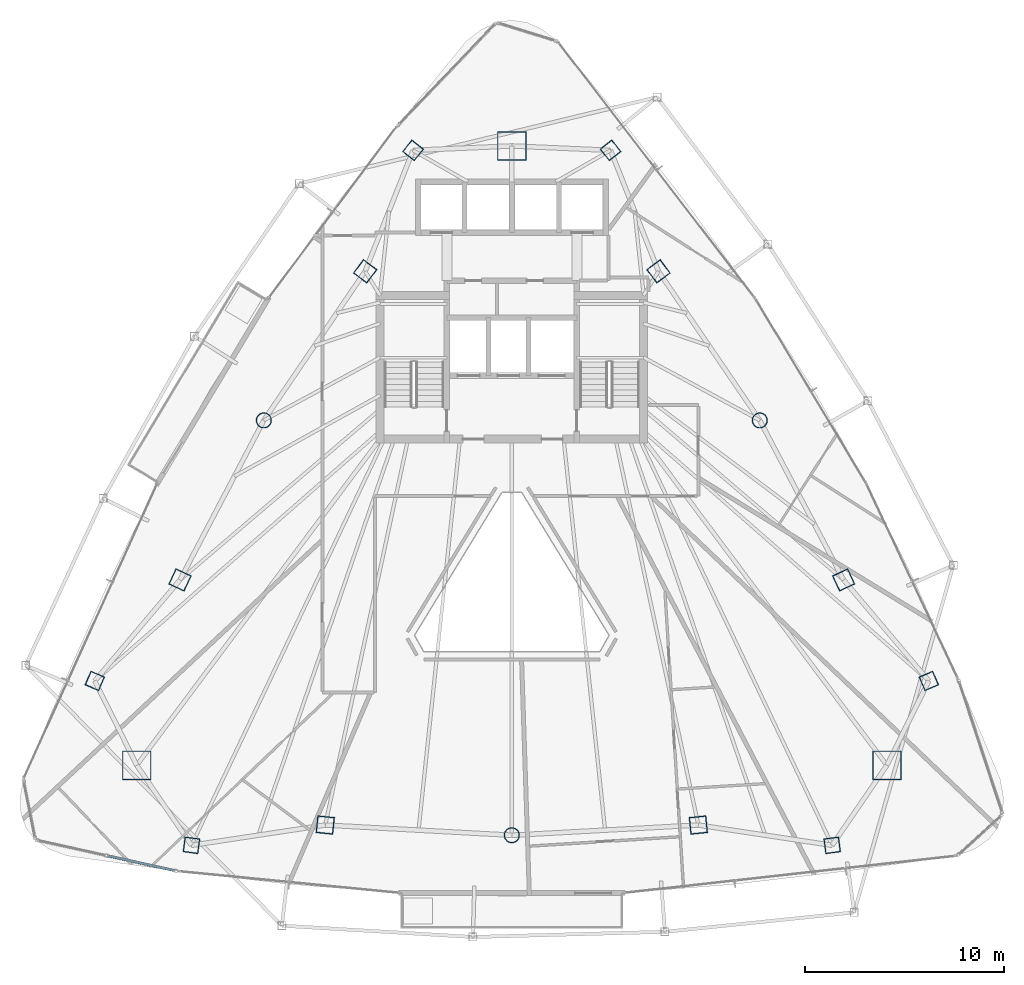
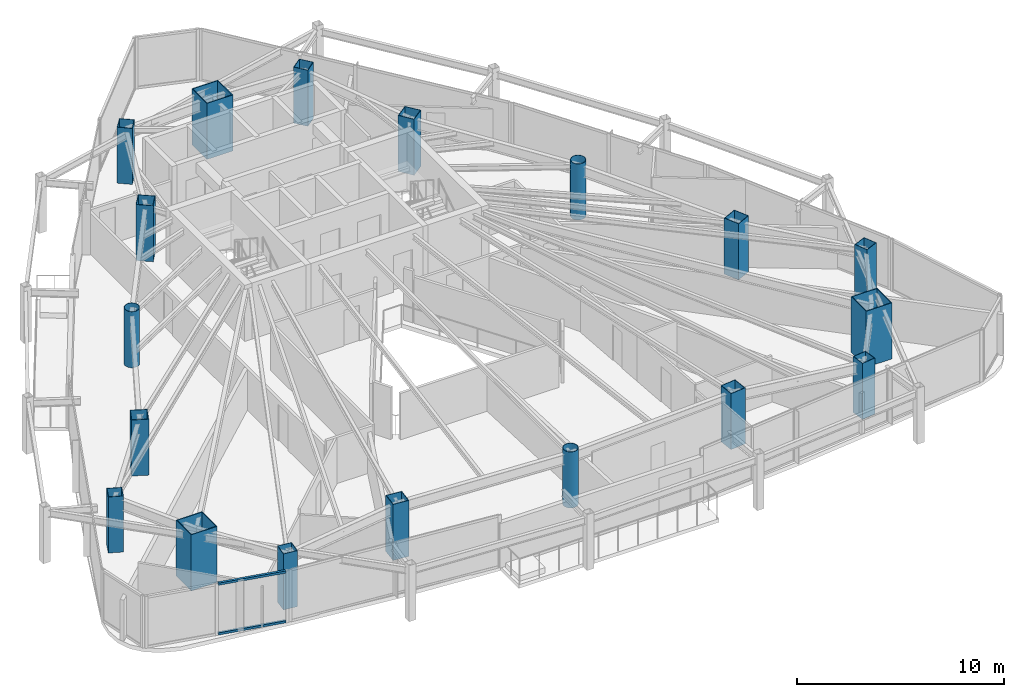
# One storey, part 1 of 29: 18 columns, 2 members, 1 element without a shape of its own.
"""IFC4 building model written with IfcOpenShell, lengths in metres."""

from ifc_helpers import new_model, si_unit, direction, frame, origin, origin_2d, place, context, subcontext, project, spatial, hollow_rectangle, hollow_circle, extrude, material, layer, layer_set, material_profile, profile_set, type_object, element, aggregate, save


model = new_model("IFC4")

# Units and contexts
model_context = context("Model", 3, precision=1e-05, world=origin(), true_north=direction((0.0, 1.0)))
body_context = subcontext(model_context, "Body", "Model", "MODEL_VIEW")
ifc_project = project(units=[si_unit("LENGTHUNIT", "METRE"), si_unit("AREAUNIT", "SQUARE_METRE"), si_unit("VOLUMEUNIT", "CUBIC_METRE"), si_unit("PLANEANGLEUNIT", "RADIAN"), si_unit("MASSUNIT", "GRAM", prefix="KILO")], contexts=[model_context])

# Site, building, storey
site_placement = place(None, origin())
site = spatial("IfcSite", under=ifc_project, at=site_placement, CompositionType="ELEMENT")
building_placement = place(site_placement, origin())
building = spatial("IfcBuilding", under=site, at=building_placement, Name="Orvanel Arch Residences", CompositionType="ELEMENT")
storey_placement = place(building_placement, frame((0.0, 0.0, 170.449951171875)))
storey = spatial("IfcBuildingStorey", under=building, at=storey_placement, Name="L48", CompositionType="ELEMENT", Elevation=170.449951171875)

# Columns
ifc_material_1 = material(Name="Structural steel AS/NZS 1163 C450L0 (Grade 450)", Category="steel")
ifc_material_profile_1 = material_profile(ifc_material_1, hollow_circle(Radius=0.381103515625, WallThickness=0.02197265625, at=origin_2d()), Name="CHS762x22")
ifc_profile_set_1 = profile_set([ifc_material_profile_1], Name="Structural steel AS/NZS 1163 C450L0 (Grade 450)")
column_type_1 = type_object("IfcColumnType", Name="CC-762", PredefinedType="COLUMN", material=ifc_profile_set_1)
for number, where, z_axis, x_axis, name in (
    (1, (20.569091796875, 27.64111328125, 0.0), (0.0, 0.0, 1.0), (1.0, 0.0, 0.0), "L48 High-Rise Tube Column 02"),
    (2, (33.0, 6.843994140625, 0.0), (0.0, 0.0, 1.0), (1.0, 0.0, 0.0), "L48 High-Rise Tube Column 05"),
    (3, (45.430908203125, 27.64111328125, 0.0), (0.0, 0.0, 1.0), (1.0, 0.0, 0.0), "L48 High-Rise Tube Column 08"),
):
    element("IfcColumn", number, at=place(storey_placement, frame(where, z_axis=z_axis, x_axis=x_axis)), inside=storey, type_object=column_type_1, Name=name, PredefinedType="COLUMN", context=body_context, shape_type="SweptSolid", body=[
        extrude(hollow_circle(Radius=0.381103515625, WallThickness=0.02197265625, at=origin_2d()), origin(), (0.0, 0.0, 1.0), 3.300048828125),
    ])
ifc_material_2 = material(Name="Structural steel AS/NZS 3678 Grade 450", Category="steel")
ifc_material_profile_2 = material_profile(ifc_material_2, hollow_rectangle(XDim=1.449951171875, YDim=1.449951171875, WallThickness=0.044921875, at=origin_2d()), Name="BOX1450x1450x45")
ifc_profile_set_2 = profile_set([ifc_material_profile_2], Name="Structural steel AS/NZS 3678 Grade 450")
column_type_2 = type_object("IfcColumnType", Name="MC-1450", PredefinedType="COLUMN", material=ifc_profile_set_2)
for number, where, z_axis, x_axis, name in (
    (4, (33.0, 41.39794921875, 0.0), (0.0, 0.0, 1.0), (1.0, 0.0, 0.0), "L48 Corner Mega-Column 1"),
    (5, (14.198974609375, 10.35107421875, 0.0), (0.0, 0.0, 1.0), (1.0, 0.0, 0.0), "L48 Corner Mega-Column 2"),
    (6, (51.801025390625, 10.35107421875, 0.0), (0.0, 0.0, 1.0), (1.0, 0.0, 0.0), "L48 Corner Mega-Column 3"),
):
    element("IfcColumn", number, at=place(storey_placement, frame(where, z_axis=z_axis, x_axis=x_axis)), inside=storey, type_object=column_type_2, Name=name, PredefinedType="COLUMN", context=body_context, shape_type="SweptSolid", body=[
        extrude(hollow_rectangle(XDim=1.449951171875, YDim=1.449951171875, WallThickness=0.044921875, at=origin_2d()), origin(), (0.0, 0.0, 1.0), 3.300048828125),
    ])
ifc_material_3 = material(Name="Structural steel AS/NZS 3678 Grade 350", Category="steel")
ifc_material_profile_3 = material_profile(ifc_material_3, hollow_rectangle(XDim=0.75, YDim=0.75, WallThickness=0.02490234375, at=origin_2d()), Name="BOX750x750x25")
ifc_profile_set_3 = profile_set([ifc_material_profile_3], Name="Structural steel AS/NZS 3678 Grade 350")
column_type_3 = type_object("IfcColumnType", Name="TC-750", PredefinedType="COLUMN", material=ifc_profile_set_3)
for number, where, z_axis, x_axis, name in (
    (7, (28.050048828125, 41.177978515625, 0.0), (0.0, 0.0, 1.0), (0.623879596709, 0.781520472419, 0.0), "L48 Mid-Rise Buttress Tube Column 01"),
    (8, (12.094970703125, 14.580078125, 0.0), (0.0, 0.0, 1.0), (0.397147890635, 0.917754625684, 0.0), "L48 Mid-Rise Buttress Tube Column 02"),
    (9, (16.94091796875, 6.339111328125, 0.0), (0.0, 0.0, 1.0), (-0.99189444259, 0.127064608601, 0.0), "L48 Mid-Rise Buttress Tube Column 03"),
    (10, (49.05908203125, 6.339111328125, 0.0), (0.0, 0.0, 1.0), (0.99189444259, 0.127064608601, 0.0), "L48 Mid-Rise Buttress Tube Column 04"),
    (11, (53.905029296875, 14.580078125, 0.0), (0.0, 0.0, 1.0), (-0.397147890635, 0.917754625684, 0.0), "L48 Mid-Rise Buttress Tube Column 05"),
    (12, (37.949951171875, 41.177978515625, 0.0), (0.0, 0.0, 1.0), (-0.623879596709, 0.781520472419, 0.0), "L48 Mid-Rise Buttress Tube Column 06"),
):
    element("IfcColumn", number, at=place(storey_placement, frame(where, z_axis=z_axis, x_axis=x_axis)), inside=storey, type_object=column_type_3, Name=name, PredefinedType="COLUMN", context=body_context, shape_type="SweptSolid", body=[
        extrude(hollow_rectangle(XDim=0.75, YDim=0.75, WallThickness=0.02490234375, at=origin_2d()), origin(), (0.0, 0.0, 1.0), 3.300048828125),
    ])
ifc_material_profile_4 = material_profile(ifc_material_3, hollow_rectangle(XDim=0.85009765625, YDim=0.85009765625, WallThickness=0.028076171875, at=origin_2d()), Name="BOX850x850x28")
ifc_profile_set_4 = profile_set([ifc_material_profile_4], Name="Structural steel AS/NZS 3678 Grade 350")
column_type_4 = type_object("IfcColumnType", Name="TC-850", PredefinedType="COLUMN", material=ifc_profile_set_4)
for number, where, z_axis, x_axis, name in (
    (13, (25.64794921875, 35.113037109375, 0.0), (0.0, 0.0, 1.0), (0.600420225326, 0.799684658487, 0.0), "L48 High-Rise Tube Column 01"),
    (14, (16.366943359375, 19.64208984375, 0.0), (0.0, 0.0, 1.0), (0.422618261741, 0.906307787037, 0.0), "L48 High-Rise Tube Column 03"),
    (15, (23.64892578125, 7.35498046875, 0.0), (0.0, 0.0, 1.0), (-0.994880708829, 0.101056297183, 0.0), "L48 High-Rise Tube Column 04"),
    (16, (42.35107421875, 7.35498046875, 0.0), (0.0, 0.0, 1.0), (0.994880708829, 0.101056297183, 0.0), "L48 High-Rise Tube Column 06"),
    (17, (49.633056640625, 19.64208984375, 0.0), (0.0, 0.0, 1.0), (-0.422618261741, 0.906307787037, 0.0), "L48 High-Rise Tube Column 07"),
    (18, (40.35205078125, 35.113037109375, 0.0), (0.0, 0.0, 1.0), (-0.600420225326, 0.799684658487, 0.0), "L48 High-Rise Tube Column 09"),
):
    element("IfcColumn", number, at=place(storey_placement, frame(where, z_axis=z_axis, x_axis=x_axis)), inside=storey, type_object=column_type_4, Name=name, PredefinedType="COLUMN", context=body_context, shape_type="SweptSolid", body=[
        extrude(hollow_rectangle(XDim=0.85009765625, YDim=0.85009765625, WallThickness=0.028076171875, at=origin_2d()), origin(), (0.0, 0.0, 1.0), 3.300048828125),
    ])

# Curtain wall, members
ifc_material_4 = material(Name="Bronze-anodised aluminium AA6063-T6", Category="aluminium")
ifc_layer = layer(ifc_material_4, 0.18994140625)
ifc_layer_set = layer_set([ifc_layer], Name="Bronze-anodised aluminium AA6063-T6")
curtain_wall_type = type_object("IfcCurtainWallType", Name="CW5-CRN-SYS", PredefinedType="NOTDEFINED", material=ifc_layer_set)
curtain_wall_placement = place(storey_placement, origin())
curtain_wall = element("IfcCurtainWall", 19, at=curtain_wall_placement, inside=storey, type_object=curtain_wall_type, Name="L48 CW5-CRN-SYS Unitised Curtain Wall", PredefinedType="NOTDEFINED")
ifc_material_profile_5 = material_profile(ifc_material_4, hollow_rectangle(XDim=0.1298828125, YDim=0.1298828125, WallThickness=0.00439453125, at=origin_2d()), Name="ALU130x130x4.5")
ifc_profile_set_5 = profile_set([ifc_material_profile_5], Name="Bronze-anodised aluminium AA6063-T6")
member_type = type_object("IfcMemberType", Name="TRN-130x130", PredefinedType="USERDEFINED", material=ifc_profile_set_5)
member_1_placement = place(storey_placement, frame((12.76416015625, 5.809326171875, 0.06494140625), z_axis=(0.97655074982, -0.215287326674, 0.0), x_axis=(0.215287326674, 0.97655074982, 0.0)))
member_1 = element("IfcMember", 20, at=member_1_placement, type_object=member_type, Name="CW-S5 transom 2.1", ObjectType="TRANSOM", PredefinedType="USERDEFINED", context=body_context, shape_type="SweptSolid", body=[
    extrude(hollow_rectangle(XDim=0.1298828125, YDim=0.1298828125, WallThickness=0.00439453125, at=origin_2d()), origin(), (0.0, 0.0, 1.0), 3.41455078125),
])
member_2_placement = place(storey_placement, frame((12.76416015625, 5.809326171875, 2.9951171875), z_axis=(0.97655074982, -0.215287326674, 0.0), x_axis=(0.215287326674, 0.97655074982, 0.0)))
member_2 = element("IfcMember", 21, at=member_2_placement, type_object=member_type, Name="CW-S5 transom 2.2", ObjectType="TRANSOM", PredefinedType="USERDEFINED", context=body_context, shape_type="SweptSolid", body=[
    extrude(hollow_rectangle(XDim=0.1298828125, YDim=0.1298828125, WallThickness=0.00439453125, at=origin_2d()), origin(), (0.0, 0.0, 1.0), 3.41455078125),
])
aggregate(curtain_wall, [member_1, member_2])

save(model, "model.ifc")
